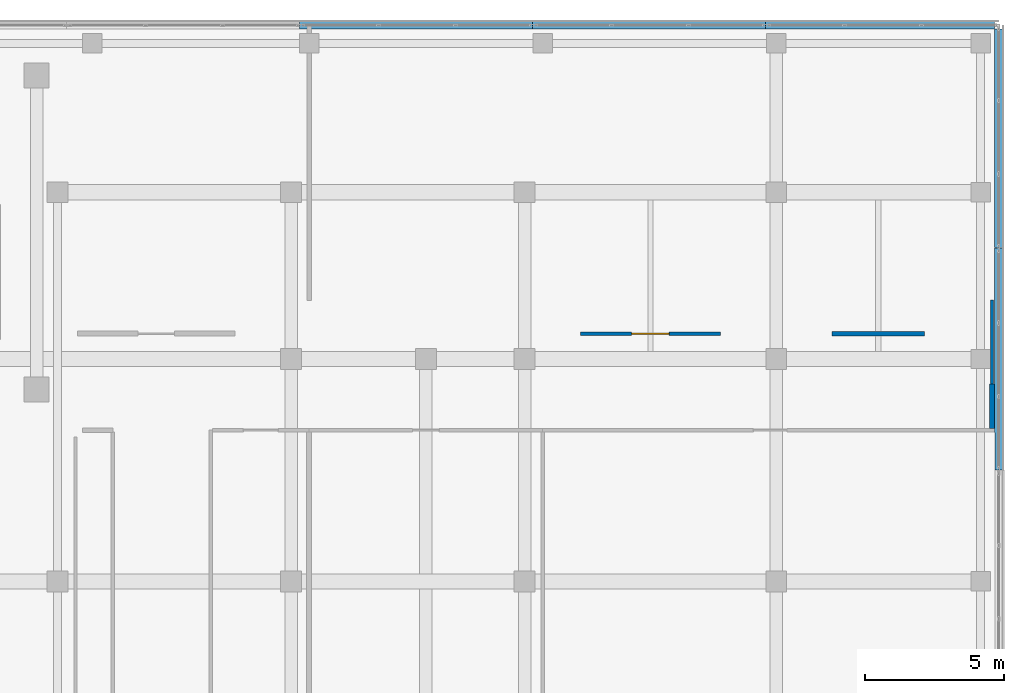
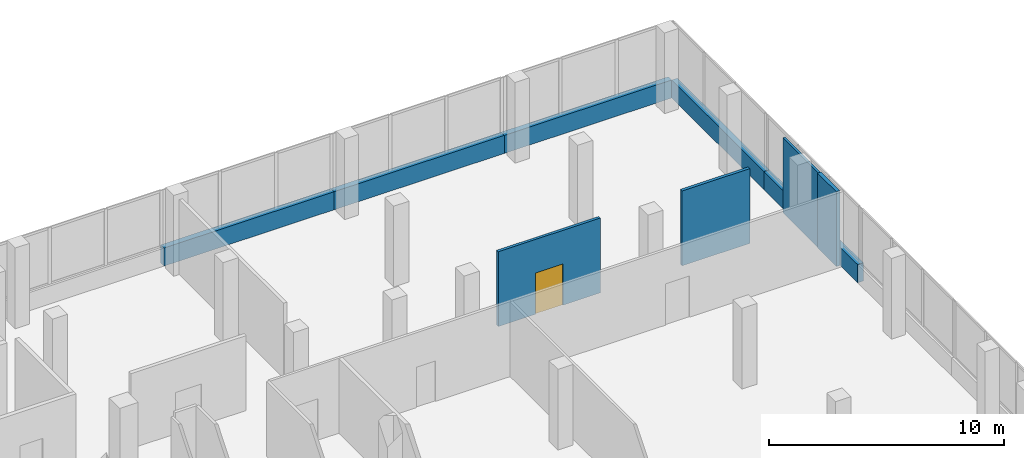
# One storey, part 172 of 184: 9 walls, 1 door, 1 opening.
"""IFC4 building model written with IfcOpenShell, lengths in metres."""

from ifc_helpers import new_model, si_unit, direction, frame, frame_2d, origin, place, context, subcontext, project, spatial, rectangle, extrude, material, layer, layer_set, type_object, element, fill, save


model = new_model("IFC4")

# Units and contexts
model_context = context("Model", 3, precision=1e-05, world=origin(), true_north=direction((0.0, 1.0)))
body_context = subcontext(model_context, "Body", "Model", "MODEL_VIEW")
ifc_project = project(units=[si_unit("LENGTHUNIT", "METRE"), si_unit("AREAUNIT", "SQUARE_METRE"), si_unit("VOLUMEUNIT", "CUBIC_METRE"), si_unit("PLANEANGLEUNIT", "RADIAN"), si_unit("MASSUNIT", "GRAM", prefix="KILO")], contexts=[model_context])

# Site, building, storey
site_placement = place(None, origin())
site = spatial("IfcSite", under=ifc_project, at=site_placement, CompositionType="ELEMENT")
building_placement = place(site_placement, origin())
building = spatial("IfcBuilding", under=site, at=building_placement, Name="Selatvlak General Hospital", CompositionType="ELEMENT")
storey_placement = place(building_placement, frame((0.0, 0.0, 15.0)))
storey = spatial("IfcBuildingStorey", under=building, at=storey_placement, Name="L03", CompositionType="ELEMENT", Elevation=15.0)

# Walls
ifc_material_1 = material(Name="Precast concrete C40/50 - white Bauhaus spandrel", Category="concrete")
ifc_layer_1 = layer(ifc_material_1, 0.280029296875, Name="Precast concrete C40/50 - white Bauhaus spandrel", Category="concrete")
ifc_layer_set_1 = layer_set([ifc_layer_1], Name="Precast concrete C40/50 - white Bauhaus spandrel")
wall_type_1 = type_object("IfcWallType", Name="WALL-EW-02", PredefinedType="SOLIDWALL", material=ifc_layer_set_1)
for number, where, z_axis, x_axis, name in (
    (1, (156.861083984375, 120.0, 0.0), (0.0, 0.0, 1.0), (1.0, 0.0, 0.0), "L03 Bauhaus spandrel sill wall 0375"),
    (2, (165.240966796875, 120.0, 0.0), (0.0, 0.0, 1.0), (1.0, 0.0, 0.0), "L03 Bauhaus spandrel sill wall 0376"),
):
    element("IfcWall", number, at=place(storey_placement, frame(where, z_axis=z_axis, x_axis=x_axis)), inside=storey, type_object=wall_type_1, Name=name, PredefinedType="SOLIDWALL", context=body_context, shape_type="SweptSolid", body=[
        extrude(rectangle(XDim=8.3759765625, YDim=0.280029296875, at=frame_2d((4.18798828125, 0.0))), origin(), (0.0, 0.0, 1.0), 0.93994140625),
    ])
wall_1_placement = place(storey_placement, frame((173.62109375, 120.0, 0.0), z_axis=(0.0, 0.0, 1.0), x_axis=(1.0, 0.0, 0.0)))
element("IfcWall", 3, at=wall_1_placement, inside=storey, type_object=wall_type_1, Name="L03 Bauhaus spandrel sill wall 0377", PredefinedType="SOLIDWALL", context=body_context, shape_type="SweptSolid", body=[
    extrude(rectangle(XDim=8.23779296875, YDim=0.280029296875, at=frame_2d((4.118896484375, 0.0))), origin(), (0.0, 0.0, 1.0), 0.93994140625),
])
wall_2_placement = place(storey_placement, frame((181.9990234375, 119.860107421875, 0.0), z_axis=(0.0, 0.0, 1.0), x_axis=(0.0, -1.0, 0.0)))
element("IfcWall", 4, at=wall_2_placement, inside=storey, type_object=wall_type_1, Name="L03 Bauhaus spandrel sill wall 0378", PredefinedType="SOLIDWALL", context=body_context, shape_type="SweptSolid", body=[
    extrude(rectangle(XDim=7.858154296875, YDim=0.280029296875, at=frame_2d((3.92919921875, 0.0))), origin(), (0.0, 0.0, 1.0), 0.93994140625),
])
wall_3_placement = place(storey_placement, frame((181.9990234375, 111.998046875, 0.0), z_axis=(0.0, 0.0, 1.0), x_axis=(0.000122144863, -0.99999999254, 0.0)))
element("IfcWall", 5, at=wall_3_placement, inside=storey, type_object=wall_type_1, Name="L03 Bauhaus spandrel sill wall 0379", PredefinedType="SOLIDWALL", context=body_context, shape_type="SweptSolid", body=[
    extrude(rectangle(XDim=7.9951171875, YDim=0.280029296875, at=frame_2d((3.99755859375, 0.0))), origin(), (0.0, 0.0, 1.0), 0.93994140625),
])
ifc_material_2 = material(Name="Acoustic gypsum stud partition")
ifc_layer_2 = layer(ifc_material_2, 0.179931640625, Name="Acoustic gypsum stud partition")
ifc_layer_set_2 = layer_set([ifc_layer_2], Name="Acoustic gypsum stud partition")
wall_type_2 = type_object("IfcWallType", Name="WALL-PT-01", PredefinedType="PARTITIONING", material=ifc_layer_set_2)
wall_4_placement = place(storey_placement, frame((181.760009765625, 105.50390625, 0.0), z_axis=(0.0, 0.0, 1.0), x_axis=(0.0, 1.0, 0.0)))
element("IfcWall", 6, at=wall_4_placement, inside=storey, type_object=wall_type_2, Name="L03 clinical partition PT-L03-1611", PredefinedType="PARTITIONING", context=body_context, shape_type="SweptSolid", body=[
    extrude(rectangle(XDim=1.59619140625, YDim=0.179931640625, at=frame_2d((0.798095703125, 0.0))), origin(), (0.0, 0.0, 1.0), 3.89501953125),
])
ifc_layer_3 = layer(ifc_material_2, 0.14990234375, Name="Acoustic gypsum stud partition")
ifc_layer_set_3 = layer_set([ifc_layer_3], Name="Acoustic gypsum stud partition")
wall_type_3 = type_object("IfcWallType", Name="WALL-PT-03", PredefinedType="PARTITIONING", material=ifc_layer_set_3)
wall_5_placement = place(storey_placement, frame((179.339111328125, 108.909912109375, 0.0), z_axis=(0.0, 0.0, 1.0), x_axis=(-1.0, 0.0, 0.0)))
element("IfcWall", 7, at=wall_5_placement, inside=storey, type_object=wall_type_3, Name="L03 clinical partition PT-L03-1647", PredefinedType="PARTITIONING", context=body_context, shape_type="SweptSolid", body=[
    extrude(rectangle(XDim=3.328125, YDim=0.14990234375, at=frame_2d((1.6640625, 0.0))), origin(), (0.0, 0.0, 1.0), 3.89501953125),
])

# Wall, opening, door
ifc_material_3 = material(Name="Moisture-resistant clinical partition")
ifc_layer_4 = layer(ifc_material_3, 0.135009765625, Name="Moisture-resistant clinical partition")
ifc_layer_set_4 = layer_set([ifc_layer_4], Name="Moisture-resistant clinical partition")
wall_type_4 = type_object("IfcWallType", Name="WALL-PT-04", PredefinedType="PARTITIONING", material=ifc_layer_set_4)
wall_6_placement = place(storey_placement, frame((171.989013671875, 108.909912109375, 0.0), z_axis=(0.0, 0.0, 1.0), x_axis=(-1.0, 0.0, 0.0)))
wall_6 = element("IfcWall", 8, at=wall_6_placement, inside=storey, type_object=wall_type_4, Name="L03 clinical partition PT-L03-1648", PredefinedType="PARTITIONING", context=body_context, shape_type="SweptSolid", body=[
    extrude(rectangle(XDim=5.028076171875, YDim=0.135009765625, at=frame_2d((2.51416015625, 0.0))), origin(), (0.0, 0.0, 1.0), 3.89501953125),
])
opening_placement = place(wall_6_placement, frame((1.839111328125, 0.0, 0.0)))
opening = element("IfcOpeningElement", 9, at=opening_placement, cuts=wall_6, Name="Opening D-10", PredefinedType="OPENING", context=body_context, shape_type="SweptSolid", body=[
    extrude(rectangle(XDim=1.35009765625, YDim=2.14990234375, at=frame_2d((0.675048828125, 1.074951171875))), frame((0.0, 0.077392578125, 0.0), z_axis=(0.0, -1.0, 0.0), x_axis=(1.0, 0.0, 0.0)), (0.0, 0.0, 1.0), 0.155029296875),
])
ifc_material_4 = material(Name="Single patient bed door")
door_type = type_object("IfcDoorType", Name="DOOR-D-10", OperationType="NOTDEFINED", PredefinedType="DOOR", material=ifc_material_4)
door_placement = place(opening_placement, origin())
door = element("IfcDoor", 10, at=door_placement, inside=storey, type_object=door_type, Name="L03 Microbiology Serology Laboratory 65 door", OperationType="SINGLE_SWING_LEFT", OverallHeight=2.14990234375, OverallWidth=1.35009765625, PredefinedType="DOOR", context=body_context, shape_type="SweptSolid", body=[
    extrude(rectangle(XDim=1.35009765625, YDim=2.14990234375, at=frame_2d((0.675048828125, 1.074951171875))), frame((0.0, 0.02490234375, 0.0), z_axis=(0.0, -1.0, 0.0), x_axis=(1.0, 0.0, 0.0)), (0.0, 0.0, 1.0), 0.050048828125),
])
fill(opening, door)

# Wall
ifc_layer_5 = layer(ifc_material_3, 0.1201171875, Name="Moisture-resistant clinical partition")
ifc_layer_set_5 = layer_set([ifc_layer_5], Name="Moisture-resistant clinical partition")
wall_type_5 = type_object("IfcWallType", Name="WALL-PT-05", PredefinedType="PARTITIONING", material=ifc_layer_set_5)
wall_7_placement = place(storey_placement, frame((181.760009765625, 107.10009765625, 0.0), z_axis=(0.0, 0.0, 1.0), x_axis=(0.0, 1.0, 0.0)))
element("IfcWall", 11, at=wall_7_placement, inside=storey, type_object=wall_type_5, Name="L03 clinical partition PT-L03-1649", PredefinedType="PARTITIONING", context=body_context, shape_type="SweptSolid", body=[
    extrude(rectangle(XDim=3.018798828125, YDim=0.1201171875, at=frame_2d((1.50927734375, 0.0))), origin(), (0.0, 0.0, 1.0), 3.89501953125),
])

save(model, "model.ifc")
